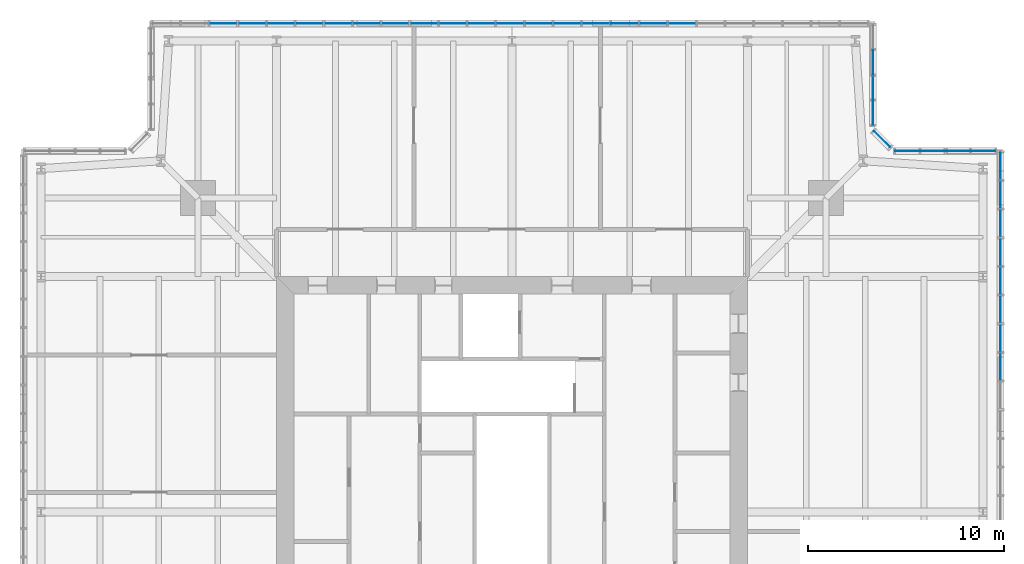
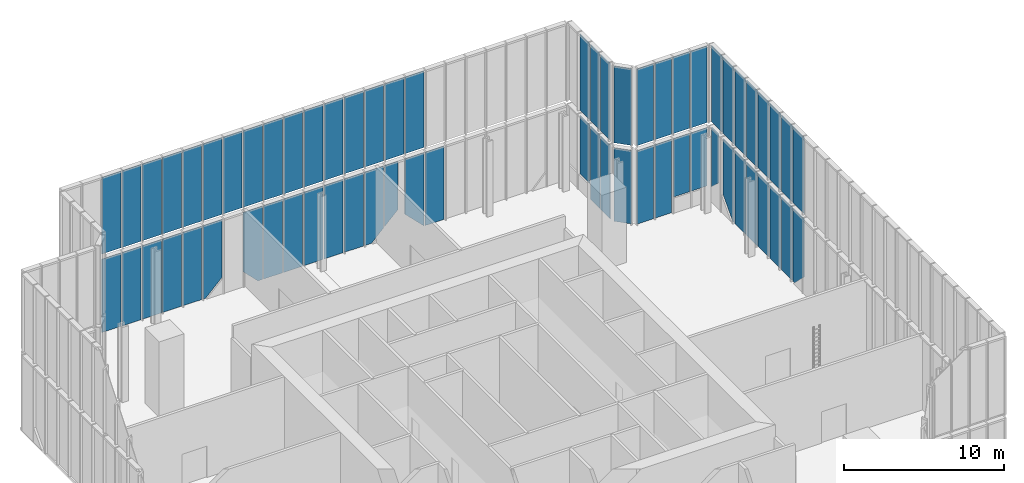
# One storey, part 16 of 25: 64 plates, 10 elements without a shape of their own.
"""IFC4 building model written with IfcOpenShell, lengths in metres."""

from ifc_helpers import new_model, si_unit, direction, frame, origin, origin_2d, place, context, subcontext, project, spatial, polyline, rectangle, outline, extrude, material, layer, layer_set, type_object, element, aggregate, save


model = new_model("IFC4")

# Units and contexts
model_context = context("Model", 3, precision=1e-05, world=origin(), true_north=direction((0.0, 1.0)))
body_context = subcontext(model_context, "Body", "Model", "MODEL_VIEW")
ifc_project = project(units=[si_unit("LENGTHUNIT", "METRE"), si_unit("AREAUNIT", "SQUARE_METRE"), si_unit("VOLUMEUNIT", "CUBIC_METRE"), si_unit("PLANEANGLEUNIT", "RADIAN"), si_unit("MASSUNIT", "GRAM", prefix="KILO")], contexts=[model_context])

# Site, building, storey
site_placement = place(None, origin())
site = spatial("IfcSite", under=ifc_project, at=site_placement, CompositionType="ELEMENT")
building_placement = place(site_placement, origin())
building = spatial("IfcBuilding", under=site, at=building_placement, Name="Fenwick Lantern Interchange", CompositionType="ELEMENT")
storey_placement = place(building_placement, frame((0.0, 0.0, 307.800048828125)))
storey = spatial("IfcBuildingStorey", under=building, at=storey_placement, Name="L74", CompositionType="ELEMENT", Elevation=307.800048828125)

# Curtain wall, plates
ifc_material_1 = material(Name="Aluminium curtain wall frame", Category="aluminium")
curtain_wall_type = type_object("IfcCurtainWallType", Name="LANTERN GLAZING", PredefinedType="USERDEFINED", material=ifc_material_1)
curtain_wall_1_placement = place(storey_placement, origin())
curtain_wall_1 = element("IfcCurtainWall", 1, at=curtain_wall_1_placement, inside=storey, type_object=curtain_wall_type, Name="Lantern glazing 05", ObjectType="LANTERN GLAZING", PredefinedType="USERDEFINED")
ifc_material_2 = material(Name="Lantern glass, fritted laminated single glazing", Category="glass")
ifc_layer = layer(ifc_material_2, 0.02197265625)
ifc_layer_set = layer_set([ifc_layer], Name="LANTERN GLAZING PANEL 22")
plate_type = type_object("IfcPlateType", Name="LANTERN GLAZING PANEL 22", PredefinedType="CURTAIN_PANEL", material=ifc_layer_set)
plate_1_placement = place(storey_placement, frame((49.89990234375, 6.60009765625, 0.0), z_axis=(0.0, 0.0, 1.0), x_axis=(0.0, 1.0, 0.0)))
plate_1 = element("IfcPlate", 2, at=plate_1_placement, type_object=plate_type, Name="L74/CW/05/P17a", PredefinedType="CURTAIN_PANEL", context=body_context, shape_type="SweptSolid", body=[
    extrude(outline(polyline([(26.295654296875, 0.0), (26.494384765625, 0.0), (26.494384765625, 5.60986328125), (25.113525390625, 5.60986328125), (25.113525390625, 1.181884765625), (26.295654296875, 0.0)])), frame((0.0, 0.010986328125, 0.0), z_axis=(0.0, -1.0, 0.0), x_axis=(1.0, 0.0, 0.0)), (0.0, 0.0, 1.0), 0.02197265625),
])
plate_2_placement = place(storey_placement, frame((49.89990234375, 33.86474609375, 0.0), z_axis=(0.0, 0.0, 1.0), x_axis=(0.0, 1.0, 0.0)))
plate_2 = element("IfcPlate", 3, at=plate_2_placement, type_object=plate_type, Name="L74/CW/05/P18", PredefinedType="CURTAIN_PANEL", context=body_context, shape_type="SweptSolid", body=[
    extrude(rectangle(XDim=1.380859375, YDim=0.02197265625, at=origin_2d()), origin(), (0.0, 0.0, 1.0), 5.610107421875),
])
plate_3_placement = place(storey_placement, frame((49.89990234375, 35.32568359375, 0.0), z_axis=(0.0, 0.0, 1.0), x_axis=(0.0, 1.0, 0.0)))
plate_3 = element("IfcPlate", 4, at=plate_3_placement, type_object=plate_type, Name="L74/CW/05/P19", PredefinedType="CURTAIN_PANEL", context=body_context, shape_type="SweptSolid", body=[
    extrude(rectangle(XDim=1.380859375, YDim=0.02197265625, at=origin_2d()), origin(), (0.0, 0.0, 1.0), 5.610107421875),
])
plate_4_placement = place(storey_placement, frame((49.89990234375, 36.786376953125, 0.0), z_axis=(0.0, 0.0, 1.0), x_axis=(0.0, 1.0, 0.0)))
plate_4 = element("IfcPlate", 5, at=plate_4_placement, type_object=plate_type, Name="L74/CW/05/P20", PredefinedType="CURTAIN_PANEL", context=body_context, shape_type="SweptSolid", body=[
    extrude(rectangle(XDim=1.380859375, YDim=0.02197265625, at=origin_2d()), origin(), (0.0, 0.0, 1.0), 5.610107421875),
])
plate_5_placement = place(storey_placement, frame((49.89990234375, 38.247314453125, 0.0), z_axis=(0.0, 0.0, 1.0), x_axis=(0.0, 1.0, 0.0)))
plate_5 = element("IfcPlate", 6, at=plate_5_placement, type_object=plate_type, Name="L74/CW/05/P21", PredefinedType="CURTAIN_PANEL", context=body_context, shape_type="SweptSolid", body=[
    extrude(rectangle(XDim=1.380859375, YDim=0.02197265625, at=origin_2d()), origin(), (0.0, 0.0, 1.0), 5.610107421875),
])
plate_6_placement = place(storey_placement, frame((49.89990234375, 39.7080078125, 0.0), z_axis=(0.0, 0.0, 1.0), x_axis=(0.0, 1.0, 0.0)))
plate_6 = element("IfcPlate", 7, at=plate_6_placement, type_object=plate_type, Name="L74/CW/05/P22", PredefinedType="CURTAIN_PANEL", context=body_context, shape_type="SweptSolid", body=[
    extrude(rectangle(XDim=1.380859375, YDim=0.02197265625, at=origin_2d()), origin(), (0.0, 0.0, 1.0), 5.610107421875),
])
plate_7_placement = place(storey_placement, frame((49.89990234375, 6.60009765625, 0.0), z_axis=(0.0, 0.0, 1.0), x_axis=(0.0, 1.0, 0.0)))
plate_7 = element("IfcPlate", 8, at=plate_7_placement, type_object=plate_type, Name="L74/CW/05/P23a", PredefinedType="CURTAIN_PANEL", context=body_context, shape_type="SweptSolid", body=[
    extrude(outline(polyline([(33.87841796875, 0.0), (34.053955078125, 0.0), (35.25927734375, 1.314697265625), (35.25927734375, 5.60986328125), (33.87841796875, 5.60986328125), (33.87841796875, 0.0)])), frame((0.0, 0.010986328125, 0.0), z_axis=(0.0, -1.0, 0.0), x_axis=(1.0, 0.0, 0.0)), (0.0, 0.0, 1.0), 0.02197265625),
])
plate_8_placement = place(storey_placement, frame((49.89990234375, 6.60009765625, 1.0400390625), z_axis=(0.0, 0.0, 1.0), x_axis=(0.0, 1.0, 0.0)))
plate_8 = element("IfcPlate", 9, at=plate_8_placement, type_object=plate_type, Name="L74/CW/05/P24a", PredefinedType="CURTAIN_PANEL", context=body_context, shape_type="SweptSolid", body=[
    extrude(outline(polyline([(36.719970703125, 0.0), (36.719970703125, 4.56982421875), (35.789306640625, 4.56982421875), (35.789306640625, 0.85302734375), (36.719970703125, 0.0)])), frame((0.0, 0.010986328125, 0.0), z_axis=(0.0, -1.0, 0.0), x_axis=(1.0, 0.0, 0.0)), (0.0, 0.0, 1.0), 0.02197265625),
])
aggregate(curtain_wall_1, [plate_1, plate_2, plate_3, plate_4, plate_5, plate_6, plate_7, plate_8])

curtain_wall_2_placement = place(storey_placement, origin())
curtain_wall_2 = element("IfcCurtainWall", 10, at=curtain_wall_2_placement, inside=storey, type_object=curtain_wall_type, Name="Lantern glazing 06", ObjectType="LANTERN GLAZING", PredefinedType="USERDEFINED")
plate_9_placement = place(storey_placement, frame((49.89990234375, 43.39990234375, 1.14990234375), z_axis=(0.0, 0.0, 1.0), x_axis=(-1.0, 0.0, 0.0)))
plate_9 = element("IfcPlate", 11, at=plate_9_placement, type_object=plate_type, Name="L74/CW/06/P00a", PredefinedType="CURTAIN_PANEL", context=body_context, shape_type="SweptSolid", body=[
    extrude(outline(polyline([(0.280029296875, 0.0), (1.490234375, 0.0), (1.490234375, 4.4599609375), (0.280029296875, 4.4599609375), (0.280029296875, 0.0)])), frame((0.0, 0.010986328125, 0.0), z_axis=(0.0, -1.0, 0.0), x_axis=(1.0, 0.0, 0.0)), (0.0, 0.0, 1.0), 0.02197265625),
])
plate_10_placement = place(storey_placement, frame((49.89990234375, 43.39990234375, 1.14990234375), z_axis=(0.0, 0.0, 1.0), x_axis=(-1.0, 0.0, 0.0)))
plate_10 = element("IfcPlate", 12, at=plate_10_placement, type_object=plate_type, Name="L74/CW/06/P01a", PredefinedType="CURTAIN_PANEL", context=body_context, shape_type="SweptSolid", body=[
    extrude(outline(polyline([(1.5703125, 0.0), (2.699951171875, 0.0), (2.699951171875, 4.4599609375), (1.5703125, 4.4599609375), (1.5703125, 0.0)])), frame((0.0, 0.010986328125, 0.0), z_axis=(0.0, -1.0, 0.0), x_axis=(1.0, 0.0, 0.0)), (0.0, 0.0, 1.0), 0.02197265625),
])
plate_11_placement = place(storey_placement, frame((46.43408203125, 43.39990234375, 0.0), z_axis=(0.0, 0.0, 1.0), x_axis=(-1.0, 0.0, 0.0)))
plate_11 = element("IfcPlate", 13, at=plate_11_placement, type_object=plate_type, Name="L74/CW/06/P02", PredefinedType="CURTAIN_PANEL", context=body_context, shape_type="SweptSolid", body=[
    extrude(rectangle(XDim=1.21044921875, YDim=0.02197265625, at=origin_2d()), origin(), (0.0, 0.0, 1.0), 5.610107421875),
])
plate_12_placement = place(storey_placement, frame((45.143798828125, 43.39990234375, 0.0), z_axis=(0.0, 0.0, 1.0), x_axis=(-1.0, 0.0, 0.0)))
plate_12 = element("IfcPlate", 14, at=plate_12_placement, type_object=plate_type, Name="L74/CW/06/P03", PredefinedType="CURTAIN_PANEL", context=body_context, shape_type="SweptSolid", body=[
    extrude(rectangle(XDim=1.21044921875, YDim=0.02197265625, at=origin_2d()), origin(), (0.0, 0.0, 1.0), 5.610107421875),
])
aggregate(curtain_wall_2, [plate_9, plate_10, plate_11, plate_12])

# Curtain wall, plate
curtain_wall_3_placement = place(storey_placement, origin())
curtain_wall_3 = element("IfcCurtainWall", 15, at=curtain_wall_3_placement, inside=storey, type_object=curtain_wall_type, Name="Lantern glazing 07", ObjectType="LANTERN GLAZING", PredefinedType="USERDEFINED")
plate_13_placement = place(storey_placement, frame((43.858642578125, 44.0, 0.0), z_axis=(0.0, 0.0, 1.0), x_axis=(-0.707106781187, 0.707106781187, 0.0)))
plate_13 = element("IfcPlate", 16, at=plate_13_placement, type_object=plate_type, Name="L74/CW/07/P00", PredefinedType="CURTAIN_PANEL", context=body_context, shape_type="SweptSolid", body=[
    extrude(rectangle(XDim=1.136962890625, YDim=0.02197265625, at=origin_2d()), origin(), (0.0, 0.0, 1.0), 5.610107421875),
])
aggregate(curtain_wall_3, [plate_13])

# Curtain wall, plates
curtain_wall_4_placement = place(storey_placement, origin())
curtain_wall_4 = element("IfcCurtainWall", 17, at=curtain_wall_4_placement, inside=storey, type_object=curtain_wall_type, Name="Lantern glazing 08", ObjectType="LANTERN GLAZING", PredefinedType="USERDEFINED")
plate_14_placement = place(storey_placement, frame((43.39990234375, 45.34375, 0.0), z_axis=(0.0, 0.0, 1.0), x_axis=(0.0, 1.0, 0.0)))
plate_14 = element("IfcPlate", 18, at=plate_14_placement, type_object=plate_type, Name="L74/CW/08/P00", PredefinedType="CURTAIN_PANEL", context=body_context, shape_type="SweptSolid", body=[
    extrude(rectangle(XDim=1.21044921875, YDim=0.02197265625, at=origin_2d()), origin(), (0.0, 0.0, 1.0), 5.610107421875),
])
plate_15_placement = place(storey_placement, frame((43.39990234375, 44.45849609375, 0.0), z_axis=(0.0, 0.0, 1.0), x_axis=(0.0, 1.0, 0.0)))
plate_15 = element("IfcPlate", 19, at=plate_15_placement, type_object=plate_type, Name="L74/CW/08/P01a", PredefinedType="CURTAIN_PANEL", context=body_context, shape_type="SweptSolid", body=[
    extrude(outline(polyline([(1.5703125, 0.0), (2.741455078125, 0.0), (2.741455078125, 5.60986328125), (1.5703125, 5.60986328125), (1.5703125, 0.0)])), frame((0.0, 0.010986328125, 0.0), z_axis=(0.0, -1.0, 0.0), x_axis=(1.0, 0.0, 0.0)), (0.0, 0.0, 1.0), 0.02197265625),
])
plate_16_placement = place(storey_placement, frame((43.39990234375, 44.45849609375, 1.14990234375), z_axis=(0.0, 0.0, 1.0), x_axis=(0.0, 1.0, 0.0)))
plate_16 = element("IfcPlate", 20, at=plate_16_placement, type_object=plate_type, Name="L74/CW/08/P02a", PredefinedType="CURTAIN_PANEL", context=body_context, shape_type="SweptSolid", body=[
    extrude(outline(polyline([(2.860595703125, 0.0), (4.071044921875, 0.0), (4.071044921875, 4.4599609375), (2.860595703125, 4.4599609375), (2.860595703125, 0.0)])), frame((0.0, 0.010986328125, 0.0), z_axis=(0.0, -1.0, 0.0), x_axis=(1.0, 0.0, 0.0)), (0.0, 0.0, 1.0), 0.02197265625),
])
aggregate(curtain_wall_4, [plate_14, plate_15, plate_16])

curtain_wall_5_placement = place(storey_placement, origin())
curtain_wall_5 = element("IfcCurtainWall", 21, at=curtain_wall_5_placement, inside=storey, type_object=curtain_wall_type, Name="Lantern glazing 09", ObjectType="LANTERN GLAZING", PredefinedType="USERDEFINED")
plate_17_placement = place(storey_placement, frame((33.664794921875, 49.89990234375, 0.0), z_axis=(0.0, 0.0, 1.0), x_axis=(-1.0, 0.0, 0.0)))
plate_17 = element("IfcPlate", 22, at=plate_17_placement, type_object=plate_type, Name="L74/CW/09/P06", PredefinedType="CURTAIN_PANEL", context=body_context, shape_type="SweptSolid", body=[
    extrude(rectangle(XDim=1.380859375, YDim=0.02197265625, at=origin_2d()), origin(), (0.0, 0.0, 1.0), 5.610107421875),
])
plate_18_placement = place(storey_placement, frame((43.39990234375, 49.89990234375, 0.001220703125), z_axis=(0.0, 0.0, 1.0), x_axis=(-1.0, 0.0, 0.0)))
plate_18 = element("IfcPlate", 23, at=plate_18_placement, type_object=plate_type, Name="L74/CW/09/P07a", PredefinedType="CURTAIN_PANEL", context=body_context, shape_type="SweptSolid", body=[
    extrude(outline(polyline([(10.505615234375, 0.0), (11.886474609375, 1.380615234375), (11.886474609375, 5.608642578125), (10.505615234375, 5.608642578125), (10.505615234375, 0.0)])), frame((0.0, 0.010986328125, 0.0), z_axis=(0.0, -1.0, 0.0), x_axis=(1.0, 0.0, 0.0)), (0.0, 0.0, 1.0), 0.02197265625),
])
plate_19_placement = place(storey_placement, frame((43.39990234375, 49.89990234375, 0.9482421875), z_axis=(0.0, 0.0, 1.0), x_axis=(-1.0, 0.0, 0.0)))
plate_19 = element("IfcPlate", 24, at=plate_19_placement, type_object=plate_type, Name="L74/CW/09/P08a", PredefinedType="CURTAIN_PANEL", context=body_context, shape_type="SweptSolid", body=[
    extrude(outline(polyline([(13.34716796875, 0.0), (13.34716796875, 4.66162109375), (12.39990234375, 4.66162109375), (12.39990234375, 0.947265625), (13.34716796875, 0.0)])), frame((0.0, 0.010986328125, 0.0), z_axis=(0.0, -1.0, 0.0), x_axis=(1.0, 0.0, 0.0)), (0.0, 0.0, 1.0), 0.02197265625),
])
plate_20_placement = place(storey_placement, frame((43.39990234375, 49.89990234375, 0.0), z_axis=(0.0, 0.0, 1.0), x_axis=(-1.0, 0.0, 0.0)))
plate_20 = element("IfcPlate", 25, at=plate_20_placement, type_object=plate_type, Name="L74/CW/09/P09a", PredefinedType="CURTAIN_PANEL", context=body_context, shape_type="SweptSolid", body=[
    extrude(outline(polyline([(14.295654296875, 0.0), (14.80810546875, 0.0), (14.80810546875, 5.60986328125), (13.42724609375, 5.60986328125), (13.42724609375, 0.868408203125), (14.295654296875, 0.0)])), frame((0.0, 0.010986328125, 0.0), z_axis=(0.0, -1.0, 0.0), x_axis=(1.0, 0.0, 0.0)), (0.0, 0.0, 1.0), 0.02197265625),
])
plate_21_placement = place(storey_placement, frame((27.821533203125, 49.89990234375, 0.0), z_axis=(0.0, 0.0, 1.0), x_axis=(-1.0, 0.0, 0.0)))
plate_21 = element("IfcPlate", 26, at=plate_21_placement, type_object=plate_type, Name="L74/CW/09/P10", PredefinedType="CURTAIN_PANEL", context=body_context, shape_type="SweptSolid", body=[
    extrude(rectangle(XDim=1.380859375, YDim=0.02197265625, at=origin_2d()), origin(), (0.0, 0.0, 1.0), 5.610107421875),
])
plate_22_placement = place(storey_placement, frame((26.36083984375, 49.89990234375, 0.0), z_axis=(0.0, 0.0, 1.0), x_axis=(-1.0, 0.0, 0.0)))
plate_22 = element("IfcPlate", 27, at=plate_22_placement, type_object=plate_type, Name="L74/CW/09/P11", PredefinedType="CURTAIN_PANEL", context=body_context, shape_type="SweptSolid", body=[
    extrude(rectangle(XDim=1.380859375, YDim=0.02197265625, at=origin_2d()), origin(), (0.0, 0.0, 1.0), 5.610107421875),
])
plate_23_placement = place(storey_placement, frame((24.89990234375, 49.89990234375, 0.0), z_axis=(0.0, 0.0, 1.0), x_axis=(-1.0, 0.0, 0.0)))
plate_23 = element("IfcPlate", 28, at=plate_23_placement, type_object=plate_type, Name="L74/CW/09/P12", PredefinedType="CURTAIN_PANEL", context=body_context, shape_type="SweptSolid", body=[
    extrude(rectangle(XDim=1.380859375, YDim=0.02197265625, at=origin_2d()), origin(), (0.0, 0.0, 1.0), 5.610107421875),
])
plate_24_placement = place(storey_placement, frame((23.439208984375, 49.89990234375, 0.0), z_axis=(0.0, 0.0, 1.0), x_axis=(-1.0, 0.0, 0.0)))
plate_24 = element("IfcPlate", 29, at=plate_24_placement, type_object=plate_type, Name="L74/CW/09/P13", PredefinedType="CURTAIN_PANEL", context=body_context, shape_type="SweptSolid", body=[
    extrude(rectangle(XDim=1.380859375, YDim=0.02197265625, at=origin_2d()), origin(), (0.0, 0.0, 1.0), 5.610107421875),
])
plate_25_placement = place(storey_placement, frame((21.978515625, 49.89990234375, 0.0), z_axis=(0.0, 0.0, 1.0), x_axis=(-1.0, 0.0, 0.0)))
plate_25 = element("IfcPlate", 30, at=plate_25_placement, type_object=plate_type, Name="L74/CW/09/P14", PredefinedType="CURTAIN_PANEL", context=body_context, shape_type="SweptSolid", body=[
    extrude(rectangle(XDim=1.380859375, YDim=0.02197265625, at=origin_2d()), origin(), (0.0, 0.0, 1.0), 5.610107421875),
])
plate_26_placement = place(storey_placement, frame((43.39990234375, 49.89990234375, 0.0), z_axis=(0.0, 0.0, 1.0), x_axis=(-1.0, 0.0, 0.0)))
plate_26 = element("IfcPlate", 31, at=plate_26_placement, type_object=plate_type, Name="L74/CW/09/P15a", PredefinedType="CURTAIN_PANEL", context=body_context, shape_type="SweptSolid", body=[
    extrude(outline(polyline([(22.19189453125, 0.0), (22.50439453125, 0.0), (23.57275390625, 1.068359375), (23.57275390625, 5.60986328125), (22.19189453125, 5.60986328125), (22.19189453125, 0.0)])), frame((0.0, 0.010986328125, 0.0), z_axis=(0.0, -1.0, 0.0), x_axis=(1.0, 0.0, 0.0)), (0.0, 0.0, 1.0), 0.02197265625),
])
plate_27_placement = place(storey_placement, frame((43.39990234375, 49.89990234375, 0.0), z_axis=(0.0, 0.0, 1.0), x_axis=(-1.0, 0.0, 0.0)))
plate_27 = element("IfcPlate", 32, at=plate_27_placement, type_object=plate_type, Name="L74/CW/09/P17a", PredefinedType="CURTAIN_PANEL", context=body_context, shape_type="SweptSolid", body=[
    extrude(outline(polyline([(26.295654296875, 0.0), (26.494384765625, 0.0), (26.494384765625, 5.60986328125), (25.113525390625, 5.60986328125), (25.113525390625, 1.181884765625), (26.295654296875, 0.0)])), frame((0.0, 0.010986328125, 0.0), z_axis=(0.0, -1.0, 0.0), x_axis=(1.0, 0.0, 0.0)), (0.0, 0.0, 1.0), 0.02197265625),
])
plate_28_placement = place(storey_placement, frame((16.13525390625, 49.89990234375, 0.0), z_axis=(0.0, 0.0, 1.0), x_axis=(-1.0, 0.0, 0.0)))
plate_28 = element("IfcPlate", 33, at=plate_28_placement, type_object=plate_type, Name="L74/CW/09/P18", PredefinedType="CURTAIN_PANEL", context=body_context, shape_type="SweptSolid", body=[
    extrude(rectangle(XDim=1.380859375, YDim=0.02197265625, at=origin_2d()), origin(), (0.0, 0.0, 1.0), 5.610107421875),
])
plate_29_placement = place(storey_placement, frame((14.67431640625, 49.89990234375, 0.0), z_axis=(0.0, 0.0, 1.0), x_axis=(-1.0, 0.0, 0.0)))
plate_29 = element("IfcPlate", 34, at=plate_29_placement, type_object=plate_type, Name="L74/CW/09/P19", PredefinedType="CURTAIN_PANEL", context=body_context, shape_type="SweptSolid", body=[
    extrude(rectangle(XDim=1.380859375, YDim=0.02197265625, at=origin_2d()), origin(), (0.0, 0.0, 1.0), 5.610107421875),
])
plate_30_placement = place(storey_placement, frame((13.213623046875, 49.89990234375, 0.0), z_axis=(0.0, 0.0, 1.0), x_axis=(-1.0, 0.0, 0.0)))
plate_30 = element("IfcPlate", 35, at=plate_30_placement, type_object=plate_type, Name="L74/CW/09/P20", PredefinedType="CURTAIN_PANEL", context=body_context, shape_type="SweptSolid", body=[
    extrude(rectangle(XDim=1.380859375, YDim=0.02197265625, at=origin_2d()), origin(), (0.0, 0.0, 1.0), 5.610107421875),
])
plate_31_placement = place(storey_placement, frame((11.752685546875, 49.89990234375, 0.0), z_axis=(0.0, 0.0, 1.0), x_axis=(-1.0, 0.0, 0.0)))
plate_31 = element("IfcPlate", 36, at=plate_31_placement, type_object=plate_type, Name="L74/CW/09/P21", PredefinedType="CURTAIN_PANEL", context=body_context, shape_type="SweptSolid", body=[
    extrude(rectangle(XDim=1.380859375, YDim=0.02197265625, at=origin_2d()), origin(), (0.0, 0.0, 1.0), 5.610107421875),
])
plate_32_placement = place(storey_placement, frame((10.2919921875, 49.89990234375, 0.0), z_axis=(0.0, 0.0, 1.0), x_axis=(-1.0, 0.0, 0.0)))
plate_32 = element("IfcPlate", 37, at=plate_32_placement, type_object=plate_type, Name="L74/CW/09/P22", PredefinedType="CURTAIN_PANEL", context=body_context, shape_type="SweptSolid", body=[
    extrude(rectangle(XDim=1.380859375, YDim=0.02197265625, at=origin_2d()), origin(), (0.0, 0.0, 1.0), 5.610107421875),
])
aggregate(curtain_wall_5, [plate_17, plate_18, plate_19, plate_20, plate_21, plate_22, plate_23, plate_24, plate_25, plate_26, plate_27, plate_28, plate_29, plate_30, plate_31, plate_32])

curtain_wall_6_placement = place(storey_placement, origin())
curtain_wall_6 = element("IfcCurtainWall", 38, at=curtain_wall_6_placement, inside=storey, type_object=curtain_wall_type, Name="Lantern glazing 05", ObjectType="LANTERN GLAZING", PredefinedType="USERDEFINED")
plate_33_placement = place(storey_placement, frame((49.89990234375, 32.404052734375, 6.0), z_axis=(0.0, 0.0, 1.0), x_axis=(0.0, 1.0, 0.0)))
plate_33 = element("IfcPlate", 39, at=plate_33_placement, type_object=plate_type, Name="RF/LANTERN/05/P17", PredefinedType="CURTAIN_PANEL", context=body_context, shape_type="SweptSolid", body=[
    extrude(rectangle(XDim=1.380859375, YDim=0.02197265625, at=origin_2d()), origin(), (0.0, 0.0, 1.0), 5.860107421875),
])
plate_34_placement = place(storey_placement, frame((49.89990234375, 33.86474609375, 6.0), z_axis=(0.0, 0.0, 1.0), x_axis=(0.0, 1.0, 0.0)))
plate_34 = element("IfcPlate", 40, at=plate_34_placement, type_object=plate_type, Name="RF/LANTERN/05/P18", PredefinedType="CURTAIN_PANEL", context=body_context, shape_type="SweptSolid", body=[
    extrude(rectangle(XDim=1.380859375, YDim=0.02197265625, at=origin_2d()), origin(), (0.0, 0.0, 1.0), 5.860107421875),
])
plate_35_placement = place(storey_placement, frame((49.89990234375, 35.32568359375, 6.0), z_axis=(0.0, 0.0, 1.0), x_axis=(0.0, 1.0, 0.0)))
plate_35 = element("IfcPlate", 41, at=plate_35_placement, type_object=plate_type, Name="RF/LANTERN/05/P19", PredefinedType="CURTAIN_PANEL", context=body_context, shape_type="SweptSolid", body=[
    extrude(rectangle(XDim=1.380859375, YDim=0.02197265625, at=origin_2d()), origin(), (0.0, 0.0, 1.0), 5.860107421875),
])
plate_36_placement = place(storey_placement, frame((49.89990234375, 36.786376953125, 6.0), z_axis=(0.0, 0.0, 1.0), x_axis=(0.0, 1.0, 0.0)))
plate_36 = element("IfcPlate", 42, at=plate_36_placement, type_object=plate_type, Name="RF/LANTERN/05/P20", PredefinedType="CURTAIN_PANEL", context=body_context, shape_type="SweptSolid", body=[
    extrude(rectangle(XDim=1.380859375, YDim=0.02197265625, at=origin_2d()), origin(), (0.0, 0.0, 1.0), 5.860107421875),
])
plate_37_placement = place(storey_placement, frame((49.89990234375, 38.247314453125, 6.0), z_axis=(0.0, 0.0, 1.0), x_axis=(0.0, 1.0, 0.0)))
plate_37 = element("IfcPlate", 43, at=plate_37_placement, type_object=plate_type, Name="RF/LANTERN/05/P21", PredefinedType="CURTAIN_PANEL", context=body_context, shape_type="SweptSolid", body=[
    extrude(rectangle(XDim=1.380859375, YDim=0.02197265625, at=origin_2d()), origin(), (0.0, 0.0, 1.0), 5.860107421875),
])
plate_38_placement = place(storey_placement, frame((49.89990234375, 39.7080078125, 6.0), z_axis=(0.0, 0.0, 1.0), x_axis=(0.0, 1.0, 0.0)))
plate_38 = element("IfcPlate", 44, at=plate_38_placement, type_object=plate_type, Name="RF/LANTERN/05/P22", PredefinedType="CURTAIN_PANEL", context=body_context, shape_type="SweptSolid", body=[
    extrude(rectangle(XDim=1.380859375, YDim=0.02197265625, at=origin_2d()), origin(), (0.0, 0.0, 1.0), 5.860107421875),
])
plate_39_placement = place(storey_placement, frame((49.89990234375, 41.168701171875, 6.0), z_axis=(0.0, 0.0, 1.0), x_axis=(0.0, 1.0, 0.0)))
plate_39 = element("IfcPlate", 45, at=plate_39_placement, type_object=plate_type, Name="RF/LANTERN/05/P23", PredefinedType="CURTAIN_PANEL", context=body_context, shape_type="SweptSolid", body=[
    extrude(rectangle(XDim=1.380859375, YDim=0.02197265625, at=origin_2d()), origin(), (0.0, 0.0, 1.0), 5.860107421875),
])
plate_40_placement = place(storey_placement, frame((49.89990234375, 42.629638671875, 6.0), z_axis=(0.0, 0.0, 1.0), x_axis=(0.0, 1.0, 0.0)))
plate_40 = element("IfcPlate", 46, at=plate_40_placement, type_object=plate_type, Name="RF/LANTERN/05/P24", PredefinedType="CURTAIN_PANEL", context=body_context, shape_type="SweptSolid", body=[
    extrude(rectangle(XDim=1.380859375, YDim=0.02197265625, at=origin_2d()), origin(), (0.0, 0.0, 1.0), 5.860107421875),
])
aggregate(curtain_wall_6, [plate_33, plate_34, plate_35, plate_36, plate_37, plate_38, plate_39, plate_40])

curtain_wall_7_placement = place(storey_placement, origin())
curtain_wall_7 = element("IfcCurtainWall", 47, at=curtain_wall_7_placement, inside=storey, type_object=curtain_wall_type, Name="Lantern glazing 06", ObjectType="LANTERN GLAZING", PredefinedType="USERDEFINED")
plate_41_placement = place(storey_placement, frame((49.014892578125, 43.39990234375, 6.0), z_axis=(0.0, 0.0, 1.0), x_axis=(-1.0, 0.0, 0.0)))
plate_41 = element("IfcPlate", 48, at=plate_41_placement, type_object=plate_type, Name="RF/LANTERN/06/P00", PredefinedType="CURTAIN_PANEL", context=body_context, shape_type="SweptSolid", body=[
    extrude(rectangle(XDim=1.21044921875, YDim=0.02197265625, at=origin_2d()), origin(), (0.0, 0.0, 1.0), 5.860107421875),
])
plate_42_placement = place(storey_placement, frame((47.724365234375, 43.39990234375, 6.0), z_axis=(0.0, 0.0, 1.0), x_axis=(-1.0, 0.0, 0.0)))
plate_42 = element("IfcPlate", 49, at=plate_42_placement, type_object=plate_type, Name="RF/LANTERN/06/P01", PredefinedType="CURTAIN_PANEL", context=body_context, shape_type="SweptSolid", body=[
    extrude(rectangle(XDim=1.21044921875, YDim=0.02197265625, at=origin_2d()), origin(), (0.0, 0.0, 1.0), 5.860107421875),
])
plate_43_placement = place(storey_placement, frame((46.43408203125, 43.39990234375, 6.0), z_axis=(0.0, 0.0, 1.0), x_axis=(-1.0, 0.0, 0.0)))
plate_43 = element("IfcPlate", 50, at=plate_43_placement, type_object=plate_type, Name="RF/LANTERN/06/P02", PredefinedType="CURTAIN_PANEL", context=body_context, shape_type="SweptSolid", body=[
    extrude(rectangle(XDim=1.21044921875, YDim=0.02197265625, at=origin_2d()), origin(), (0.0, 0.0, 1.0), 5.860107421875),
])
plate_44_placement = place(storey_placement, frame((45.143798828125, 43.39990234375, 6.0), z_axis=(0.0, 0.0, 1.0), x_axis=(-1.0, 0.0, 0.0)))
plate_44 = element("IfcPlate", 51, at=plate_44_placement, type_object=plate_type, Name="RF/LANTERN/06/P03", PredefinedType="CURTAIN_PANEL", context=body_context, shape_type="SweptSolid", body=[
    extrude(rectangle(XDim=1.21044921875, YDim=0.02197265625, at=origin_2d()), origin(), (0.0, 0.0, 1.0), 5.860107421875),
])
aggregate(curtain_wall_7, [plate_41, plate_42, plate_43, plate_44])

# Curtain wall, plate
curtain_wall_8_placement = place(storey_placement, origin())
curtain_wall_8 = element("IfcCurtainWall", 52, at=curtain_wall_8_placement, inside=storey, type_object=curtain_wall_type, Name="Lantern glazing 07", ObjectType="LANTERN GLAZING", PredefinedType="USERDEFINED")
plate_45_placement = place(storey_placement, frame((43.858642578125, 44.0, 6.0), z_axis=(0.0, 0.0, 1.0), x_axis=(-0.707106781187, 0.707106781187, 0.0)))
plate_45 = element("IfcPlate", 53, at=plate_45_placement, type_object=plate_type, Name="RF/LANTERN/07/P00", PredefinedType="CURTAIN_PANEL", context=body_context, shape_type="SweptSolid", body=[
    extrude(rectangle(XDim=1.136962890625, YDim=0.02197265625, at=origin_2d()), origin(), (0.0, 0.0, 1.0), 5.860107421875),
])
aggregate(curtain_wall_8, [plate_45])

# Curtain wall, plates
curtain_wall_9_placement = place(storey_placement, origin())
curtain_wall_9 = element("IfcCurtainWall", 54, at=curtain_wall_9_placement, inside=storey, type_object=curtain_wall_type, Name="Lantern glazing 08", ObjectType="LANTERN GLAZING", PredefinedType="USERDEFINED")
plate_46_placement = place(storey_placement, frame((43.39990234375, 45.34375, 6.0), z_axis=(0.0, 0.0, 1.0), x_axis=(0.0, 1.0, 0.0)))
plate_46 = element("IfcPlate", 55, at=plate_46_placement, type_object=plate_type, Name="RF/LANTERN/08/P00", PredefinedType="CURTAIN_PANEL", context=body_context, shape_type="SweptSolid", body=[
    extrude(rectangle(XDim=1.21044921875, YDim=0.02197265625, at=origin_2d()), origin(), (0.0, 0.0, 1.0), 5.860107421875),
])
plate_47_placement = place(storey_placement, frame((43.39990234375, 46.634033203125, 6.0), z_axis=(0.0, 0.0, 1.0), x_axis=(0.0, 1.0, 0.0)))
plate_47 = element("IfcPlate", 56, at=plate_47_placement, type_object=plate_type, Name="RF/LANTERN/08/P01", PredefinedType="CURTAIN_PANEL", context=body_context, shape_type="SweptSolid", body=[
    extrude(rectangle(XDim=1.21044921875, YDim=0.02197265625, at=origin_2d()), origin(), (0.0, 0.0, 1.0), 5.860107421875),
])
plate_48_placement = place(storey_placement, frame((43.39990234375, 47.924560546875, 6.0), z_axis=(0.0, 0.0, 1.0), x_axis=(0.0, 1.0, 0.0)))
plate_48 = element("IfcPlate", 57, at=plate_48_placement, type_object=plate_type, Name="RF/LANTERN/08/P02", PredefinedType="CURTAIN_PANEL", context=body_context, shape_type="SweptSolid", body=[
    extrude(rectangle(XDim=1.21044921875, YDim=0.02197265625, at=origin_2d()), origin(), (0.0, 0.0, 1.0), 5.860107421875),
])
aggregate(curtain_wall_9, [plate_46, plate_47, plate_48])

curtain_wall_10_placement = place(storey_placement, origin())
curtain_wall_10 = element("IfcCurtainWall", 58, at=curtain_wall_10_placement, inside=storey, type_object=curtain_wall_type, Name="Lantern glazing 09", ObjectType="LANTERN GLAZING", PredefinedType="USERDEFINED")
plate_49_placement = place(storey_placement, frame((32.2041015625, 49.89990234375, 6.0), z_axis=(0.0, 0.0, 1.0), x_axis=(-1.0, 0.0, 0.0)))
plate_49 = element("IfcPlate", 59, at=plate_49_placement, type_object=plate_type, Name="RF/LANTERN/09/P07", PredefinedType="CURTAIN_PANEL", context=body_context, shape_type="SweptSolid", body=[
    extrude(rectangle(XDim=1.380859375, YDim=0.02197265625, at=origin_2d()), origin(), (0.0, 0.0, 1.0), 5.860107421875),
])
plate_50_placement = place(storey_placement, frame((30.7431640625, 49.89990234375, 6.0), z_axis=(0.0, 0.0, 1.0), x_axis=(-1.0, 0.0, 0.0)))
plate_50 = element("IfcPlate", 60, at=plate_50_placement, type_object=plate_type, Name="RF/LANTERN/09/P08", PredefinedType="CURTAIN_PANEL", context=body_context, shape_type="SweptSolid", body=[
    extrude(rectangle(XDim=1.380859375, YDim=0.02197265625, at=origin_2d()), origin(), (0.0, 0.0, 1.0), 5.860107421875),
])
plate_51_placement = place(storey_placement, frame((29.282470703125, 49.89990234375, 6.0), z_axis=(0.0, 0.0, 1.0), x_axis=(-1.0, 0.0, 0.0)))
plate_51 = element("IfcPlate", 61, at=plate_51_placement, type_object=plate_type, Name="RF/LANTERN/09/P09", PredefinedType="CURTAIN_PANEL", context=body_context, shape_type="SweptSolid", body=[
    extrude(rectangle(XDim=1.380859375, YDim=0.02197265625, at=origin_2d()), origin(), (0.0, 0.0, 1.0), 5.860107421875),
])
plate_52_placement = place(storey_placement, frame((27.821533203125, 49.89990234375, 6.0), z_axis=(0.0, 0.0, 1.0), x_axis=(-1.0, 0.0, 0.0)))
plate_52 = element("IfcPlate", 62, at=plate_52_placement, type_object=plate_type, Name="RF/LANTERN/09/P10", PredefinedType="CURTAIN_PANEL", context=body_context, shape_type="SweptSolid", body=[
    extrude(rectangle(XDim=1.380859375, YDim=0.02197265625, at=origin_2d()), origin(), (0.0, 0.0, 1.0), 5.860107421875),
])
plate_53_placement = place(storey_placement, frame((26.36083984375, 49.89990234375, 6.0), z_axis=(0.0, 0.0, 1.0), x_axis=(-1.0, 0.0, 0.0)))
plate_53 = element("IfcPlate", 63, at=plate_53_placement, type_object=plate_type, Name="RF/LANTERN/09/P11", PredefinedType="CURTAIN_PANEL", context=body_context, shape_type="SweptSolid", body=[
    extrude(rectangle(XDim=1.380859375, YDim=0.02197265625, at=origin_2d()), origin(), (0.0, 0.0, 1.0), 5.860107421875),
])
plate_54_placement = place(storey_placement, frame((24.89990234375, 49.89990234375, 6.0), z_axis=(0.0, 0.0, 1.0), x_axis=(-1.0, 0.0, 0.0)))
plate_54 = element("IfcPlate", 64, at=plate_54_placement, type_object=plate_type, Name="RF/LANTERN/09/P12", PredefinedType="CURTAIN_PANEL", context=body_context, shape_type="SweptSolid", body=[
    extrude(rectangle(XDim=1.380859375, YDim=0.02197265625, at=origin_2d()), origin(), (0.0, 0.0, 1.0), 5.860107421875),
])
plate_55_placement = place(storey_placement, frame((23.439208984375, 49.89990234375, 6.0), z_axis=(0.0, 0.0, 1.0), x_axis=(-1.0, 0.0, 0.0)))
plate_55 = element("IfcPlate", 65, at=plate_55_placement, type_object=plate_type, Name="RF/LANTERN/09/P13", PredefinedType="CURTAIN_PANEL", context=body_context, shape_type="SweptSolid", body=[
    extrude(rectangle(XDim=1.380859375, YDim=0.02197265625, at=origin_2d()), origin(), (0.0, 0.0, 1.0), 5.860107421875),
])
plate_56_placement = place(storey_placement, frame((21.978515625, 49.89990234375, 6.0), z_axis=(0.0, 0.0, 1.0), x_axis=(-1.0, 0.0, 0.0)))
plate_56 = element("IfcPlate", 66, at=plate_56_placement, type_object=plate_type, Name="RF/LANTERN/09/P14", PredefinedType="CURTAIN_PANEL", context=body_context, shape_type="SweptSolid", body=[
    extrude(rectangle(XDim=1.380859375, YDim=0.02197265625, at=origin_2d()), origin(), (0.0, 0.0, 1.0), 5.860107421875),
])
plate_57_placement = place(storey_placement, frame((20.517578125, 49.89990234375, 6.0), z_axis=(0.0, 0.0, 1.0), x_axis=(-1.0, 0.0, 0.0)))
plate_57 = element("IfcPlate", 67, at=plate_57_placement, type_object=plate_type, Name="RF/LANTERN/09/P15", PredefinedType="CURTAIN_PANEL", context=body_context, shape_type="SweptSolid", body=[
    extrude(rectangle(XDim=1.380859375, YDim=0.02197265625, at=origin_2d()), origin(), (0.0, 0.0, 1.0), 5.860107421875),
])
plate_58_placement = place(storey_placement, frame((19.056884765625, 49.89990234375, 6.0), z_axis=(0.0, 0.0, 1.0), x_axis=(-1.0, 0.0, 0.0)))
plate_58 = element("IfcPlate", 68, at=plate_58_placement, type_object=plate_type, Name="RF/LANTERN/09/P16", PredefinedType="CURTAIN_PANEL", context=body_context, shape_type="SweptSolid", body=[
    extrude(rectangle(XDim=1.380859375, YDim=0.02197265625, at=origin_2d()), origin(), (0.0, 0.0, 1.0), 5.860107421875),
])
plate_59_placement = place(storey_placement, frame((17.595947265625, 49.89990234375, 6.0), z_axis=(0.0, 0.0, 1.0), x_axis=(-1.0, 0.0, 0.0)))
plate_59 = element("IfcPlate", 69, at=plate_59_placement, type_object=plate_type, Name="RF/LANTERN/09/P17", PredefinedType="CURTAIN_PANEL", context=body_context, shape_type="SweptSolid", body=[
    extrude(rectangle(XDim=1.380859375, YDim=0.02197265625, at=origin_2d()), origin(), (0.0, 0.0, 1.0), 5.860107421875),
])
plate_60_placement = place(storey_placement, frame((16.13525390625, 49.89990234375, 6.0), z_axis=(0.0, 0.0, 1.0), x_axis=(-1.0, 0.0, 0.0)))
plate_60 = element("IfcPlate", 70, at=plate_60_placement, type_object=plate_type, Name="RF/LANTERN/09/P18", PredefinedType="CURTAIN_PANEL", context=body_context, shape_type="SweptSolid", body=[
    extrude(rectangle(XDim=1.380859375, YDim=0.02197265625, at=origin_2d()), origin(), (0.0, 0.0, 1.0), 5.860107421875),
])
plate_61_placement = place(storey_placement, frame((14.67431640625, 49.89990234375, 6.0), z_axis=(0.0, 0.0, 1.0), x_axis=(-1.0, 0.0, 0.0)))
plate_61 = element("IfcPlate", 71, at=plate_61_placement, type_object=plate_type, Name="RF/LANTERN/09/P19", PredefinedType="CURTAIN_PANEL", context=body_context, shape_type="SweptSolid", body=[
    extrude(rectangle(XDim=1.380859375, YDim=0.02197265625, at=origin_2d()), origin(), (0.0, 0.0, 1.0), 5.860107421875),
])
plate_62_placement = place(storey_placement, frame((13.213623046875, 49.89990234375, 6.0), z_axis=(0.0, 0.0, 1.0), x_axis=(-1.0, 0.0, 0.0)))
plate_62 = element("IfcPlate", 72, at=plate_62_placement, type_object=plate_type, Name="RF/LANTERN/09/P20", PredefinedType="CURTAIN_PANEL", context=body_context, shape_type="SweptSolid", body=[
    extrude(rectangle(XDim=1.380859375, YDim=0.02197265625, at=origin_2d()), origin(), (0.0, 0.0, 1.0), 5.860107421875),
])
plate_63_placement = place(storey_placement, frame((11.752685546875, 49.89990234375, 6.0), z_axis=(0.0, 0.0, 1.0), x_axis=(-1.0, 0.0, 0.0)))
plate_63 = element("IfcPlate", 73, at=plate_63_placement, type_object=plate_type, Name="RF/LANTERN/09/P21", PredefinedType="CURTAIN_PANEL", context=body_context, shape_type="SweptSolid", body=[
    extrude(rectangle(XDim=1.380859375, YDim=0.02197265625, at=origin_2d()), origin(), (0.0, 0.0, 1.0), 5.860107421875),
])
plate_64_placement = place(storey_placement, frame((10.2919921875, 49.89990234375, 6.0), z_axis=(0.0, 0.0, 1.0), x_axis=(-1.0, 0.0, 0.0)))
plate_64 = element("IfcPlate", 74, at=plate_64_placement, type_object=plate_type, Name="RF/LANTERN/09/P22", PredefinedType="CURTAIN_PANEL", context=body_context, shape_type="SweptSolid", body=[
    extrude(rectangle(XDim=1.380859375, YDim=0.02197265625, at=origin_2d()), origin(), (0.0, 0.0, 1.0), 5.860107421875),
])
aggregate(curtain_wall_10, [plate_49, plate_50, plate_51, plate_52, plate_53, plate_54, plate_55, plate_56, plate_57, plate_58, plate_59, plate_60, plate_61, plate_62, plate_63, plate_64])

save(model, "model.ifc")
